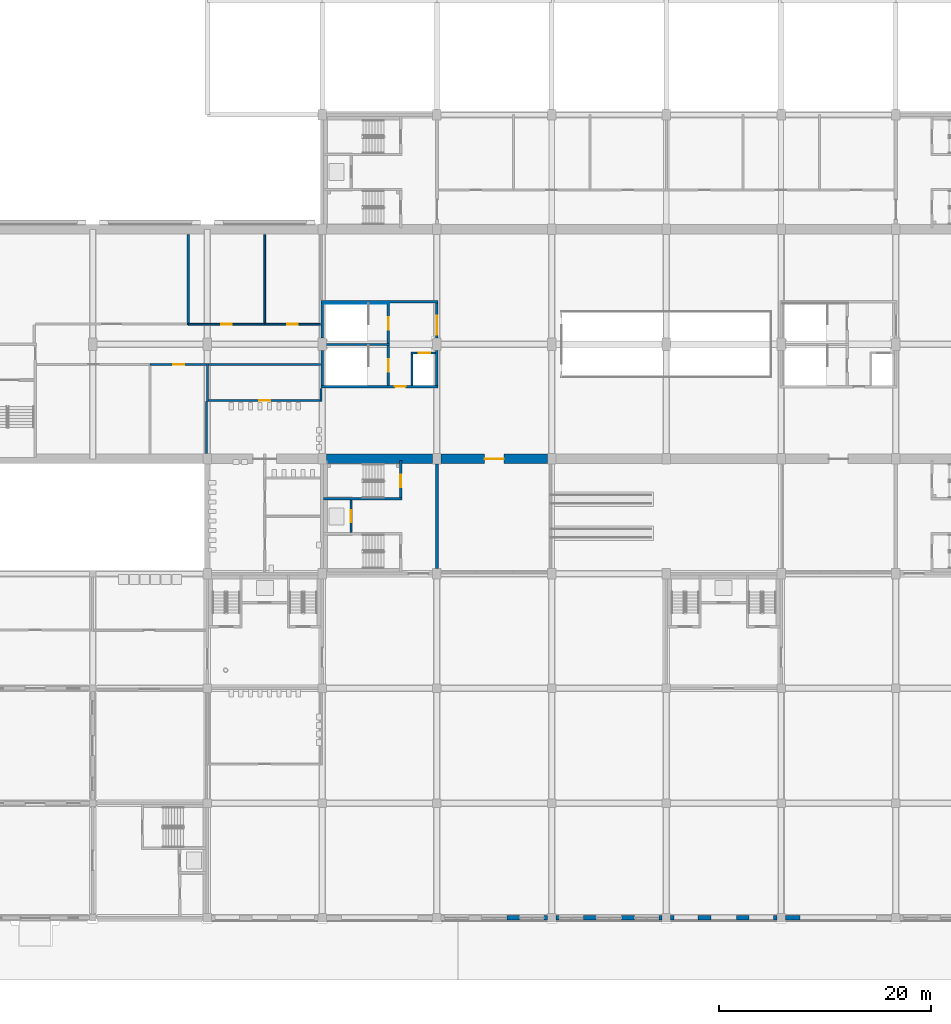
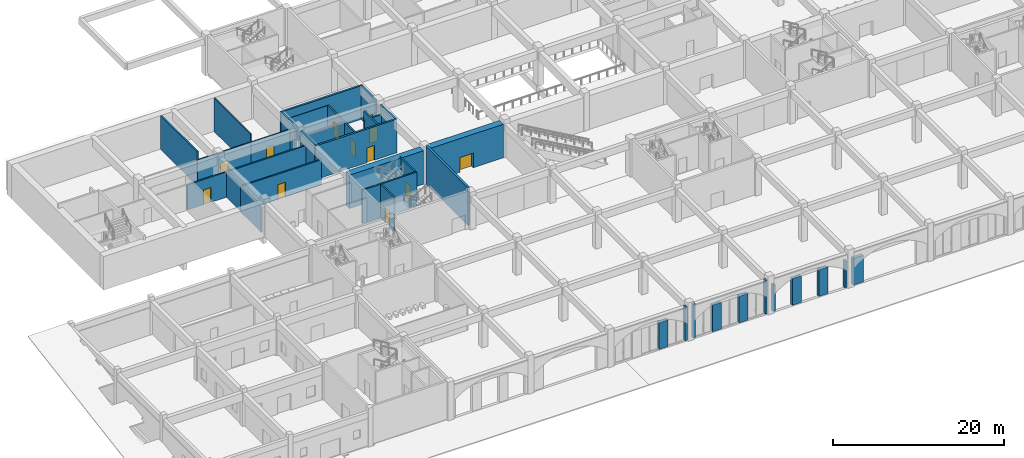
# One storey, part 28 of 101: 39 walls, 12 doors, 12 openings.
"""IFC4 building model written with IfcOpenShell, lengths in metres."""

from ifc_helpers import new_model, si_unit, direction, frame, frame_2d, origin, place, context, subcontext, project, spatial, rectangle, extrude, material, layer, layer_set, type_object, element, fill, save


model = new_model("IFC4")

# Units and contexts
model_context = context("Model", 3, precision=1e-05, world=origin(), true_north=direction((0.0, 1.0)))
body_context = subcontext(model_context, "Body", "Model", "MODEL_VIEW")
ifc_project = project(units=[si_unit("LENGTHUNIT", "METRE"), si_unit("AREAUNIT", "SQUARE_METRE"), si_unit("VOLUMEUNIT", "CUBIC_METRE"), si_unit("PLANEANGLEUNIT", "RADIAN"), si_unit("MASSUNIT", "GRAM", prefix="KILO")], contexts=[model_context])

# Site, building, storey
site_placement = place(None, origin())
site = spatial("IfcSite", under=ifc_project, at=site_placement, CompositionType="ELEMENT")
building_placement = place(site_placement, origin())
building = spatial("IfcBuilding", under=site, at=building_placement, Name="Magnolia Steps Interchange", CompositionType="ELEMENT")
storey_placement = place(building_placement, frame((0.0, 0.0, -5.39990234375)))
storey = spatial("IfcBuildingStorey", under=building, at=storey_placement, Name="B1", CompositionType="ELEMENT", Elevation=-5.39990234375)

# Walls
ifc_material_1 = material(Name="Concrete C40", Category="concrete")
ifc_layer_1 = layer(ifc_material_1, 0.449951171875)
ifc_layer_set_1 = layer_set([ifc_layer_1], Name="Concrete C40 arcade wall 450")
wall_type_1 = type_object("IfcWallType", Name="Concrete C40 arcade wall 450", PredefinedType="SOLIDWALL", material=ifc_layer_set_1)
wall_1_placement = place(storey_placement, frame((70.60009765625, 10.0, 0.0), z_axis=(0.0, 0.0, 1.0), x_axis=(1.0, 0.0, 0.0)))
element("IfcWall", 1, at=wall_1_placement, inside=storey, type_object=wall_type_1, Name="Street arcade pier 13", PredefinedType="SOLIDWALL", context=body_context, shape_type="SweptSolid", body=[
    extrude(rectangle(XDim=1.199951171875, YDim=0.449951171875, at=frame_2d((0.60009765625, 0.0))), origin(), (0.0, 0.0, 1.0), 3.7998046875),
])
wall_2_placement = place(storey_placement, frame((74.10009765625, 10.0, 0.0), z_axis=(0.0, 0.0, 1.0), x_axis=(1.0, 0.0, 0.0)))
element("IfcWall", 2, at=wall_2_placement, inside=storey, type_object=wall_type_1, Name="Street arcade pier 15", PredefinedType="SOLIDWALL", context=body_context, shape_type="SweptSolid", body=[
    extrude(rectangle(XDim=0.2998046875, YDim=0.449951171875, at=frame_2d((0.14990234375, 0.0))), origin(), (0.0, 0.0, 1.0), 4.7998046875),
])
wall_3_placement = place(storey_placement, frame((75.199951171875, 10.0, 0.0), z_axis=(0.0, 0.0, 1.0), x_axis=(1.0, 0.0, 0.0)))
element("IfcWall", 3, at=wall_3_placement, inside=storey, type_object=wall_type_1, Name="Street arcade pier 15", PredefinedType="SOLIDWALL", context=body_context, shape_type="SweptSolid", body=[
    extrude(rectangle(XDim=0.300048828125, YDim=0.449951171875, at=frame_2d((0.14990234375, 0.0))), origin(), (0.0, 0.0, 1.0), 4.7998046875),
])
wall_4_placement = place(storey_placement, frame((77.800048828125, 10.0, 0.0), z_axis=(0.0, 0.0, 1.0), x_axis=(1.0, 0.0, 0.0)))
element("IfcWall", 4, at=wall_4_placement, inside=storey, type_object=wall_type_1, Name="Street arcade pier 17", PredefinedType="SOLIDWALL", context=body_context, shape_type="SweptSolid", body=[
    extrude(rectangle(XDim=1.199951171875, YDim=0.449951171875, at=frame_2d((0.60009765625, 0.0))), origin(), (0.0, 0.0, 1.0), 3.7998046875),
])
wall_5_placement = place(storey_placement, frame((81.39990234375, 10.0, 0.0), z_axis=(0.0, 0.0, 1.0), x_axis=(1.0, 0.0, 0.0)))
element("IfcWall", 5, at=wall_5_placement, inside=storey, type_object=wall_type_1, Name="Street arcade pier 19", PredefinedType="SOLIDWALL", context=body_context, shape_type="SweptSolid", body=[
    extrude(rectangle(XDim=1.2001953125, YDim=0.449951171875, at=frame_2d((0.60009765625, 0.0))), origin(), (0.0, 0.0, 1.0), 3.7998046875),
])
wall_6_placement = place(storey_placement, frame((84.89990234375, 10.0, 0.0), z_axis=(0.0, 0.0, 1.0), x_axis=(1.0, 0.0, 0.0)))
element("IfcWall", 6, at=wall_6_placement, inside=storey, type_object=wall_type_1, Name="Street arcade pier 21", PredefinedType="SOLIDWALL", context=body_context, shape_type="SweptSolid", body=[
    extrude(rectangle(XDim=0.300048828125, YDim=0.449951171875, at=frame_2d((0.14990234375, 0.0))), origin(), (0.0, 0.0, 1.0), 4.7998046875),
])
wall_7_placement = place(storey_placement, frame((86.0, 10.0, 0.0), z_axis=(0.0, 0.0, 1.0), x_axis=(1.0, 0.0, 0.0)))
element("IfcWall", 7, at=wall_7_placement, inside=storey, type_object=wall_type_1, Name="Street arcade pier 21", PredefinedType="SOLIDWALL", context=body_context, shape_type="SweptSolid", body=[
    extrude(rectangle(XDim=0.300048828125, YDim=0.449951171875, at=frame_2d((0.14990234375, 0.0))), origin(), (0.0, 0.0, 1.0), 3.7998046875),
])
for number, where, z_axis, x_axis, name in (
    (8, (88.60009765625, 10.0, 0.0), (0.0, 0.0, 1.0), (1.0, 0.0, 0.0), "Street arcade pier 23"),
    (9, (92.199951171875, 10.0, 0.0), (0.0, 0.0, 1.0), (1.0, 0.0, 0.0), "Street arcade pier 25"),
):
    element("IfcWall", number, at=place(storey_placement, frame(where, z_axis=z_axis, x_axis=x_axis)), inside=storey, type_object=wall_type_1, Name=name, PredefinedType="SOLIDWALL", context=body_context, shape_type="SweptSolid", body=[
        extrude(rectangle(XDim=1.199951171875, YDim=0.449951171875, at=frame_2d((0.60009765625, 0.0))), origin(), (0.0, 0.0, 1.0), 3.7998046875),
    ])
wall_8_placement = place(storey_placement, frame((95.699951171875, 10.0, 0.0), z_axis=(0.0, 0.0, 1.0), x_axis=(1.0, 0.0, 0.0)))
element("IfcWall", 10, at=wall_8_placement, inside=storey, type_object=wall_type_1, Name="Street arcade pier 27", PredefinedType="SOLIDWALL", context=body_context, shape_type="SweptSolid", body=[
    extrude(rectangle(XDim=0.300048828125, YDim=0.449951171875, at=frame_2d((0.14990234375, 0.0))), origin(), (0.0, 0.0, 1.0), 3.7998046875),
])
wall_9_placement = place(storey_placement, frame((96.800048828125, 10.0, 0.0), z_axis=(0.0, 0.0, 1.0), x_axis=(1.0, 0.0, 0.0)))
element("IfcWall", 11, at=wall_9_placement, inside=storey, type_object=wall_type_1, Name="Street arcade pier 27", PredefinedType="SOLIDWALL", context=body_context, shape_type="SweptSolid", body=[
    extrude(rectangle(XDim=1.39990234375, YDim=0.449951171875, at=frame_2d((0.699951171875, 0.0))), origin(), (0.0, 0.0, 1.0), 3.7998046875),
])

# Wall, opening, door
ifc_material_2 = material(Name="Concrete C35", Category="concrete")
ifc_layer_2 = layer(ifc_material_2, 0.199951171875)
ifc_layer_set_2 = layer_set([ifc_layer_2], Name="Core enclosure wall 200")
wall_type_2 = type_object("IfcWallType", Name="Core enclosure wall 200", PredefinedType="SOLIDWALL", material=ifc_layer_set_2)
wall_10_placement = place(storey_placement, frame((55.89990234375, 46.25, 0.0), z_axis=(0.0, 0.0, 1.0), x_axis=(0.0, 1.0, 0.0)))
wall_10 = element("IfcWall", 12, at=wall_10_placement, inside=storey, type_object=wall_type_2, Name="B1 HC3 enclosure wall", PredefinedType="SOLIDWALL", context=body_context, shape_type="SweptSolid", body=[
    extrude(rectangle(XDim=3.10009765625, YDim=0.199951171875, at=frame_2d((1.550048828125, 0.0))), origin(), (0.0, 0.0, 1.0), 4.7998046875),
])
opening_1_placement = place(wall_10_placement, frame((1.0, 0.0, 0.0)))
opening_1 = element("IfcOpeningElement", 13, at=opening_1_placement, cuts=wall_10, Name="Opening LD", PredefinedType="OPENING", context=body_context, shape_type="SweptSolid", body=[
    extrude(rectangle(XDim=1.10009765625, YDim=2.10009765625, at=frame_2d((0.550048828125, 1.050048828125))), frame((0.0, 0.10986328125, 0.0), z_axis=(0.0, -1.0, 0.0), x_axis=(1.0, 0.0, 0.0)), (0.0, 0.0, 1.0), 0.219970703125),
])
ifc_material_3 = material(Name="Stainless steel grade 304", Category="steel")
door_type_1 = type_object("IfcDoorType", Name="Lift landing door 1100x2100", OperationType="DOUBLE_DOOR_SLIDING", PredefinedType="DOOR", material=ifc_material_3)
door_1_placement = place(opening_1_placement, frame((1.10009765625, 0.0, 0.0), z_axis=(0.0, 0.0, 1.0), x_axis=(-1.0, 0.0, 0.0)))
door_1 = element("IfcDoor", 14, at=door_1_placement, inside=storey, type_object=door_type_1, Name="Lift landing door LF3 B1", OperationType="DOUBLE_DOOR_SLIDING", OverallHeight=2.10009765625, OverallWidth=1.10009765625, PredefinedType="DOOR", context=body_context, shape_type="SweptSolid", body=[
    extrude(rectangle(XDim=1.10009765625, YDim=2.10009765625, at=frame_2d((0.550048828125, 1.050048828125))), frame((0.0, 0.02490234375, 0.0), z_axis=(0.0, -1.0, 0.0), x_axis=(1.0, 0.0, 0.0)), (0.0, 0.0, 1.0), 0.050048828125),
])
fill(opening_1, door_1)

# Wall
wall_11_placement = place(storey_placement, frame((60.699951171875, 49.449951171875, 0.0), z_axis=(0.0, 0.0, 1.0), x_axis=(-1.0, 0.0, 0.0)))
element("IfcWall", 15, at=wall_11_placement, inside=storey, type_object=wall_type_2, Name="B1 HC3 enclosure wall", PredefinedType="SOLIDWALL", context=body_context, shape_type="SweptSolid", body=[
    extrude(rectangle(XDim=7.349853515625, YDim=0.199951171875, at=frame_2d((3.6748046875, 0.0))), origin(), (0.0, 0.0, 1.0), 4.7998046875),
])

# Wall, opening, door
wall_12_placement = place(storey_placement, frame((60.60009765625, 49.550048828125, 0.0), z_axis=(0.0, 0.0, 1.0), x_axis=(0.0, 1.0, 0.0)))
wall_12 = element("IfcWall", 16, at=wall_12_placement, inside=storey, type_object=wall_type_2, Name="B1 HC3 enclosure wall", PredefinedType="SOLIDWALL", context=body_context, shape_type="SweptSolid", body=[
    extrude(rectangle(XDim=3.5, YDim=0.199951171875, at=frame_2d((1.75, 0.0))), origin(), (0.0, 0.0, 1.0), 4.7998046875),
])
opening_2_placement = place(wall_12_placement, frame((0.97509765625, 0.0, 0.0)))
opening_2 = element("IfcOpeningElement", 17, at=opening_2_placement, cuts=wall_12, Name="Opening D-HC3-B1-2", PredefinedType="OPENING", context=body_context, shape_type="SweptSolid", body=[
    extrude(rectangle(XDim=1.199951171875, YDim=2.10009765625, at=frame_2d((0.60009765625, 1.050048828125))), frame((0.0, 0.10986328125, 0.0), z_axis=(0.0, -1.0, 0.0), x_axis=(1.0, 0.0, 0.0)), (0.0, 0.0, 1.0), 0.219970703125),
])
ifc_material_4 = material(Name="Painted steel", Category="steel")
door_type_2 = type_object("IfcDoorType", Name="Stair fire door 1200x2100", OperationType="NOTDEFINED", PredefinedType="DOOR", material=ifc_material_4)
door_2_placement = place(opening_2_placement, frame((1.199951171875, 0.0, 0.0), z_axis=(0.0, 0.0, 1.0), x_axis=(-1.0, 0.0, 0.0)))
door_2 = element("IfcDoor", 18, at=door_2_placement, inside=storey, type_object=door_type_2, Name="Stair door ST6 B1", OperationType="SINGLE_SWING_RIGHT", OverallHeight=2.10009765625, OverallWidth=1.199951171875, PredefinedType="DOOR", context=body_context, shape_type="SweptSolid", body=[
    extrude(rectangle(XDim=1.199951171875, YDim=2.10009765625, at=frame_2d((0.60009765625, 1.050048828125))), frame((0.0, 0.02490234375, 0.0), z_axis=(0.0, -1.0, 0.0), x_axis=(1.0, 0.0, 0.0)), (0.0, 0.0, 1.0), 0.050048828125),
])
fill(opening_2, door_2)

wall_13_placement = place(storey_placement, frame((59.425048828125, 60.125, 0.0), z_axis=(0.0, 0.0, 1.0), x_axis=(0.0, 1.0, 0.0)))
wall_13 = element("IfcWall", 19, at=wall_13_placement, inside=storey, type_object=wall_type_2, Name="B1 PC1 enclosure wall", PredefinedType="SOLIDWALL", context=body_context, shape_type="SweptSolid", body=[
    extrude(rectangle(XDim=3.75, YDim=0.199951171875, at=frame_2d((1.875, 0.0))), origin(), (0.0, 0.0, 1.0), 3.599853515625),
])
opening_3_placement = place(wall_13_placement, frame((1.27490234375, 0.0, 0.0)))
opening_3 = element("IfcOpeningElement", 20, at=opening_3_placement, cuts=wall_13, Name="Opening D-PC1-B1-1", PredefinedType="OPENING", context=body_context, shape_type="SweptSolid", body=[
    extrude(rectangle(XDim=1.199951171875, YDim=2.10009765625, at=frame_2d((0.60009765625, 1.050048828125))), frame((0.0, 0.10986328125, 0.0), z_axis=(0.0, -1.0, 0.0), x_axis=(1.0, 0.0, 0.0)), (0.0, 0.0, 1.0), 0.219970703125),
])
door_3_placement = place(opening_3_placement, frame((1.199951171875, 0.0, 0.0), z_axis=(0.0, 0.0, 1.0), x_axis=(-1.0, 0.0, 0.0)))
door_3 = element("IfcDoor", 21, at=door_3_placement, inside=storey, type_object=door_type_2, Name="Stair door ST9 B1", OperationType="SINGLE_SWING_RIGHT", OverallHeight=2.10009765625, OverallWidth=1.199951171875, PredefinedType="DOOR", context=body_context, shape_type="SweptSolid", body=[
    extrude(rectangle(XDim=1.199951171875, YDim=2.10009765625, at=frame_2d((0.60009765625, 1.050048828125))), frame((0.0, 0.02490234375, 0.0), z_axis=(0.0, -1.0, 0.0), x_axis=(1.0, 0.0, 0.0)), (0.0, 0.0, 1.0), 0.050048828125),
])
fill(opening_3, door_3)

# Wall
wall_14_placement = place(storey_placement, frame((59.52490234375, 63.97509765625, 0.0), z_axis=(0.0, 0.0, 1.0), x_axis=(-1.0, 0.0, 0.0)))
element("IfcWall", 22, at=wall_14_placement, inside=storey, type_object=wall_type_2, Name="B1 PC1 enclosure wall", PredefinedType="SOLIDWALL", context=body_context, shape_type="SweptSolid", body=[
    extrude(rectangle(XDim=6.199951171875, YDim=0.199951171875, at=frame_2d((3.10009765625, 0.0))), origin(), (0.0, 0.0, 1.0), 3.599853515625),
])

# Wall, opening, door
wall_15_placement = place(storey_placement, frame((59.425048828125, 64.074951171875, 0.0), z_axis=(0.0, 0.0, 1.0), x_axis=(0.0, 1.0, 0.0)))
wall_15 = element("IfcWall", 23, at=wall_15_placement, inside=storey, type_object=wall_type_2, Name="B1 PC1 enclosure wall", PredefinedType="SOLIDWALL", context=body_context, shape_type="SweptSolid", body=[
    extrude(rectangle(XDim=3.800048828125, YDim=0.199951171875, at=frame_2d((1.89990234375, 0.0))), origin(), (0.0, 0.0, 1.0), 3.599853515625),
])
opening_4_placement = place(wall_15_placement, frame((1.27490234375, 0.0, 0.0)))
opening_4 = element("IfcOpeningElement", 24, at=opening_4_placement, cuts=wall_15, Name="Opening D-PC1-B1-2", PredefinedType="OPENING", context=body_context, shape_type="SweptSolid", body=[
    extrude(rectangle(XDim=1.199951171875, YDim=2.10009765625, at=frame_2d((0.60009765625, 1.050048828125))), frame((0.0, 0.10986328125, 0.0), z_axis=(0.0, -1.0, 0.0), x_axis=(1.0, 0.0, 0.0)), (0.0, 0.0, 1.0), 0.219970703125),
])
door_4_placement = place(opening_4_placement, frame((1.199951171875, 0.0, 0.0), z_axis=(0.0, 0.0, 1.0), x_axis=(-1.0, 0.0, 0.0)))
door_4 = element("IfcDoor", 25, at=door_4_placement, inside=storey, type_object=door_type_2, Name="Stair door ST10 B1", OperationType="SINGLE_SWING_RIGHT", OverallHeight=2.10009765625, OverallWidth=1.199951171875, PredefinedType="DOOR", context=body_context, shape_type="SweptSolid", body=[
    extrude(rectangle(XDim=1.199951171875, YDim=2.10009765625, at=frame_2d((0.60009765625, 1.050048828125))), frame((0.0, 0.02490234375, 0.0), z_axis=(0.0, -1.0, 0.0), x_axis=(1.0, 0.0, 0.0)), (0.0, 0.0, 1.0), 0.050048828125),
])
fill(opening_4, door_4)

# Wall
wall_16_placement = place(storey_placement, frame((61.675048828125, 60.125, 0.0), z_axis=(0.0, 0.0, 1.0), x_axis=(0.0, 1.0, 0.0)))
element("IfcWall", 26, at=wall_16_placement, inside=storey, type_object=wall_type_2, Name="B1 PC1 enclosure wall", PredefinedType="SOLIDWALL", context=body_context, shape_type="SweptSolid", body=[
    extrude(rectangle(XDim=3.14990234375, YDim=0.199951171875, at=frame_2d((1.574951171875, 0.0))), origin(), (0.0, 0.0, 1.0), 4.7998046875),
])

# Wall, opening, door
wall_17_placement = place(storey_placement, frame((63.875, 63.175048828125, 0.0), z_axis=(0.0, 0.0, 1.0), x_axis=(-1.0, 0.0, 0.0)))
wall_17 = element("IfcWall", 27, at=wall_17_placement, inside=storey, type_object=wall_type_2, Name="B1 PC1 enclosure wall", PredefinedType="SOLIDWALL", context=body_context, shape_type="SweptSolid", body=[
    extrude(rectangle(XDim=2.300048828125, YDim=0.199951171875, at=frame_2d((1.14990234375, 0.0))), origin(), (0.0, 0.0, 1.0), 3.599853515625),
])
opening_5_placement = place(wall_17_placement, frame((0.5, 0.0, 0.0)))
opening_5 = element("IfcOpeningElement", 28, at=opening_5_placement, cuts=wall_17, Name="Opening LD", PredefinedType="OPENING", context=body_context, shape_type="SweptSolid", body=[
    extrude(rectangle(XDim=1.10009765625, YDim=2.10009765625, at=frame_2d((0.550048828125, 1.050048828125))), frame((0.0, 0.10986328125, 0.0), z_axis=(0.0, -1.0, 0.0), x_axis=(1.0, 0.0, 0.0)), (0.0, 0.0, 1.0), 0.219970703125),
])
door_5_placement = place(opening_5_placement, frame((1.10009765625, 0.0, 0.0), z_axis=(0.0, 0.0, 1.0), x_axis=(-1.0, 0.0, 0.0)))
door_5 = element("IfcDoor", 29, at=door_5_placement, inside=storey, type_object=door_type_1, Name="Lift landing door LF5 B1", OperationType="DOUBLE_DOOR_SLIDING", OverallHeight=2.10009765625, OverallWidth=1.10009765625, PredefinedType="DOOR", context=body_context, shape_type="SweptSolid", body=[
    extrude(rectangle(XDim=1.10009765625, YDim=2.10009765625, at=frame_2d((0.550048828125, 1.050048828125))), frame((0.0, 0.02490234375, 0.0), z_axis=(0.0, -1.0, 0.0), x_axis=(1.0, 0.0, 0.0)), (0.0, 0.0, 1.0), 0.050048828125),
])
fill(opening_5, door_5)

# Wall
wall_18_placement = place(storey_placement, frame((59.52490234375, 67.85009765625, 0.0), z_axis=(0.0, 0.0, 1.0), x_axis=(-1.0, 0.0, 0.0)))
element("IfcWall", 30, at=wall_18_placement, inside=storey, type_object=wall_type_2, Name="B1 PC1 enclosure wall", PredefinedType="SOLIDWALL", context=body_context, shape_type="SweptSolid", body=[
    extrude(rectangle(XDim=6.199951171875, YDim=0.050048828125, at=frame_2d((3.10009765625, 0.0))), origin(), (0.0, 0.0, 1.0), 3.599853515625),
])

# Wall, opening, door
ifc_material_5 = material(Name="Concrete C40", Category="concrete")
ifc_layer_3 = layer(ifc_material_5, 0.25)
ifc_layer_set_3 = layer_set([ifc_layer_3], Name="Core wall 250")
wall_type_3 = type_object("IfcWallType", Name="Core wall 250", PredefinedType="SOLIDWALL", material=ifc_layer_set_3)
wall_19_placement = place(storey_placement, frame((53.074951171875, 60.0, 0.0), z_axis=(0.0, 0.0, 1.0), x_axis=(1.0, 0.0, 0.0)))
wall_19 = element("IfcWall", 31, at=wall_19_placement, inside=storey, type_object=wall_type_3, Name="Core wall PC1", PredefinedType="SOLIDWALL", context=body_context, shape_type="SweptSolid", body=[
    extrude(rectangle(XDim=11.050048828125, YDim=0.25, at=frame_2d((5.52490234375, 0.0))), origin(), (0.0, 0.0, 1.0), 4.7998046875),
])
opening_6_placement = place(wall_19_placement, frame((6.97509765625, 0.0, 0.0)))
opening_6 = element("IfcOpeningElement", 32, at=opening_6_placement, cuts=wall_19, Name="Opening D-PC1-B1-4", PredefinedType="OPENING", context=body_context, shape_type="SweptSolid", body=[
    extrude(rectangle(XDim=1.0, YDim=2.10009765625, at=frame_2d((0.5, 1.050048828125))), frame((0.0, 0.135009765625, 0.0), z_axis=(0.0, -1.0, 0.0), x_axis=(1.0, 0.0, 0.0)), (0.0, 0.0, 1.0), 0.27001953125),
])
ifc_material_6 = material(Name="Timber and glass", Category="wood")
door_type_3 = type_object("IfcDoorType", Name="Core entrance door 1000x2100", OperationType="NOTDEFINED", PredefinedType="DOOR", material=ifc_material_6)
door_6_placement = place(opening_6_placement, frame((1.0, 0.0, 0.0), z_axis=(0.0, 0.0, 1.0), x_axis=(-1.0, 0.0, 0.0)))
door_6 = element("IfcDoor", 33, at=door_6_placement, inside=storey, type_object=door_type_3, Name="Core entrance door PC1 B1", OperationType="SINGLE_SWING_LEFT", OverallHeight=2.10009765625, OverallWidth=1.0, PredefinedType="DOOR", context=body_context, shape_type="SweptSolid", body=[
    extrude(rectangle(XDim=1.0, YDim=2.10009765625, at=frame_2d((0.5, 1.050048828125))), frame((0.0, 0.02490234375, 0.0), z_axis=(0.0, -1.0, 0.0), x_axis=(1.0, 0.0, 0.0)), (0.0, 0.0, 1.0), 0.050048828125),
])
fill(opening_6, door_6)

# Wall
wall_20_placement = place(storey_placement, frame((64.0, 60.125, 0.0), z_axis=(0.0, 0.0, 1.0), x_axis=(0.0, 1.0, 0.0)))
element("IfcWall", 34, at=wall_20_placement, inside=storey, type_object=wall_type_3, Name="Core wall PC1", PredefinedType="SOLIDWALL", context=body_context, shape_type="SweptSolid", body=[
    extrude(rectangle(XDim=3.27490234375, YDim=0.25, at=frame_2d((1.637451171875, 0.0))), origin(), (0.0, 0.0, 1.0), 4.7998046875),
])

# Wall, opening, door
wall_21_placement = place(storey_placement, frame((64.0, 64.60009765625, 0.0), z_axis=(0.0, 0.0, 1.0), x_axis=(0.0, 1.0, 0.0)))
wall_21 = element("IfcWall", 35, at=wall_21_placement, inside=storey, type_object=wall_type_3, Name="Core wall PC1", PredefinedType="SOLIDWALL", context=body_context, shape_type="SweptSolid", body=[
    extrude(rectangle(XDim=3.27490234375, YDim=0.25, at=frame_2d((1.637451171875, 0.0))), origin(), (0.0, 0.0, 1.0), 4.7998046875),
])
opening_7_placement = place(wall_21_placement, frame((0.27490234375, 0.0, 0.0)))
opening_7 = element("IfcOpeningElement", 36, at=opening_7_placement, cuts=wall_21, Name="Opening D-PC1-B1-3", PredefinedType="OPENING", context=body_context, shape_type="SweptSolid", body=[
    extrude(rectangle(XDim=1.800048828125, YDim=2.10009765625, at=frame_2d((0.89990234375, 1.050048828125))), frame((0.0, 0.135009765625, 0.0), z_axis=(0.0, -1.0, 0.0), x_axis=(1.0, 0.0, 0.0)), (0.0, 0.0, 1.0), 0.27001953125),
])
ifc_material_7 = material(Name="Timber and glass", Category="wood")
door_type_4 = type_object("IfcDoorType", Name="Core entrance door pair 1800x2100", OperationType="DOUBLE_DOOR_DOUBLE_SWING", PredefinedType="DOOR", material=ifc_material_7)
door_7_placement = place(opening_7_placement, frame((1.800048828125, 0.0, 0.0), z_axis=(0.0, 0.0, 1.0), x_axis=(-1.0, 0.0, 0.0)))
door_7 = element("IfcDoor", 37, at=door_7_placement, inside=storey, type_object=door_type_4, Name="Core entrance door PC1 B1", OperationType="DOUBLE_DOOR_DOUBLE_SWING", OverallHeight=2.10009765625, OverallWidth=1.800048828125, PredefinedType="DOOR", context=body_context, shape_type="SweptSolid", body=[
    extrude(rectangle(XDim=1.800048828125, YDim=2.10009765625, at=frame_2d((0.89990234375, 1.050048828125))), frame((0.0, 0.02490234375, 0.0), z_axis=(0.0, -1.0, 0.0), x_axis=(1.0, 0.0, 0.0)), (0.0, 0.0, 1.0), 0.050048828125),
])
fill(opening_7, door_7)

# Walls
wall_22_placement = place(storey_placement, frame((64.125, 68.0, 0.0), z_axis=(0.0, 0.0, 1.0), x_axis=(-1.0, 0.0, 0.0)))
element("IfcWall", 38, at=wall_22_placement, inside=storey, type_object=wall_type_3, Name="Core wall PC1", PredefinedType="SOLIDWALL", context=body_context, shape_type="SweptSolid", body=[
    extrude(rectangle(XDim=11.050048828125, YDim=0.25, at=frame_2d((5.52490234375, 0.0))), origin(), (0.0, 0.0, 1.0), 4.7998046875),
])
for number, where, z_axis, x_axis, name in (
    (39, (53.199951171875, 67.875, 0.0), (0.0, 0.0, 1.0), (0.0, -1.0, 0.0), "Core wall PC1"),
    (40, (53.199951171875, 63.39990234375, 0.0), (0.0, 0.0, 1.0), (0.0, -1.0, 0.0), "Core wall PC1"),
):
    element("IfcWall", number, at=place(storey_placement, frame(where, z_axis=z_axis, x_axis=x_axis)), inside=storey, type_object=wall_type_3, Name=name, PredefinedType="SOLIDWALL", context=body_context, shape_type="SweptSolid", body=[
        extrude(rectangle(XDim=3.27490234375, YDim=0.25, at=frame_2d((1.637451171875, 0.0))), origin(), (0.0, 0.0, 1.0), 4.7998046875),
    ])
ifc_material_8 = material(Name="Concrete C40", Category="concrete")
ifc_layer_4 = layer(ifc_material_8, 0.300048828125)
ifc_layer_set_4 = layer_set([ifc_layer_4], Name="Core wall 300")
wall_type_4 = type_object("IfcWallType", Name="Core wall 300", PredefinedType="SOLIDWALL", material=ifc_layer_set_4)
wall_23_placement = place(storey_placement, frame((64.0, 42.89990234375, 0.0), z_axis=(0.0, 0.0, 1.0), x_axis=(0.0, 1.0, 0.0)))
element("IfcWall", 41, at=wall_23_placement, inside=storey, type_object=wall_type_4, Name="Core wall HC3", PredefinedType="SOLIDWALL", context=body_context, shape_type="SweptSolid", body=[
    extrude(rectangle(XDim=9.800048828125, YDim=0.300048828125, at=frame_2d((4.89990234375, 0.0))), origin(), (0.0, 0.0, 1.0), 5.39990234375),
])
ifc_material_9 = material(Name="Concrete C40", Category="concrete")
ifc_layer_5 = layer(ifc_material_9, 0.89990234375)
ifc_layer_set_5 = layer_set([ifc_layer_5], Name="Diaphragm wall 900")
wall_type_5 = type_object("IfcWallType", Name="Diaphragm wall 900", PredefinedType="SOLIDWALL", material=ifc_layer_set_5)
wall_24_placement = place(storey_placement, frame((53.60009765625, 53.199951171875, 0.0), z_axis=(0.0, 0.0, 1.0), x_axis=(1.0, 0.0, 0.0)))
element("IfcWall", 42, at=wall_24_placement, inside=storey, type_object=wall_type_5, Name="Metro box wall S", PredefinedType="SOLIDWALL", context=body_context, shape_type="SweptSolid", body=[
    extrude(rectangle(XDim=10.0, YDim=0.89990234375, at=frame_2d((5.0, 0.0))), origin(), (0.0, 0.0, 1.0), 4.7998046875),
])

# Wall, opening, door
wall_25_placement = place(storey_placement, frame((64.39990234375, 53.199951171875, 0.0), z_axis=(0.0, 0.0, 1.0), x_axis=(1.0, 0.0, 0.0)))
wall_25 = element("IfcWall", 43, at=wall_25_placement, inside=storey, type_object=wall_type_5, Name="Metro box wall S", PredefinedType="SOLIDWALL", context=body_context, shape_type="SweptSolid", body=[
    extrude(rectangle(XDim=10.0, YDim=0.89990234375, at=frame_2d((5.0, 0.0))), origin(), (0.0, 0.0, 1.0), 4.7998046875),
])
opening_8_placement = place(wall_25_placement, frame((4.10009765625, 0.0, 0.0)))
opening_8 = element("IfcOpeningElement", 44, at=opening_8_placement, cuts=wall_25, Name="Opening D-B1-16", PredefinedType="OPENING", context=body_context, shape_type="SweptSolid", body=[
    extrude(rectangle(XDim=1.800048828125, YDim=2.10009765625, at=frame_2d((0.89990234375, 1.050048828125))), frame((0.0, 0.4599609375, 0.0), z_axis=(0.0, -1.0, 0.0), x_axis=(1.0, 0.0, 0.0)), (0.0, 0.0, 1.0), 0.919921875),
])
ifc_material_10 = material(Name="Timber", Category="wood")
door_type_5 = type_object("IfcDoorType", Name="Room door pair 1800x2100", OperationType="DOUBLE_DOOR_DOUBLE_SWING", PredefinedType="DOOR", material=ifc_material_10)
door_8_placement = place(opening_8_placement, frame((1.800048828125, 0.0, 0.0), z_axis=(0.0, 0.0, 1.0), x_axis=(-1.0, 0.0, 0.0)))
door_8 = element("IfcDoor", 45, at=door_8_placement, inside=storey, type_object=door_type_5, Name="Customer Information Counter door", OperationType="DOUBLE_DOOR_DOUBLE_SWING", OverallHeight=2.10009765625, OverallWidth=1.800048828125, PredefinedType="DOOR", context=body_context, shape_type="SweptSolid", body=[
    extrude(rectangle(XDim=1.800048828125, YDim=2.10009765625, at=frame_2d((0.89990234375, 1.050048828125))), frame((0.0, 0.02490234375, 0.0), z_axis=(0.0, -1.0, 0.0), x_axis=(1.0, 0.0, 0.0)), (0.0, 0.0, 1.0), 0.050048828125),
])
fill(opening_8, door_8)

ifc_material_11 = material(Name="Fair-faced blockwork", Category="masonry")
ifc_layer_6 = layer(ifc_material_11, 0.199951171875)
ifc_layer_set_6 = layer_set([ifc_layer_6], Name="Fire partition wall 200")
wall_type_6 = type_object("IfcWallType", Name="Fire partition wall 200", PredefinedType="PARTITIONING", material=ifc_layer_set_6)
wall_26_placement = place(storey_placement, frame((37.0, 62.10009765625, 0.0), z_axis=(0.0, 0.0, 1.0), x_axis=(1.0, 0.0, 0.0)))
wall_26 = element("IfcWall", 46, at=wall_26_placement, inside=storey, type_object=wall_type_6, Name="B1 partition 1", PredefinedType="PARTITIONING", context=body_context, shape_type="SweptSolid", body=[
    extrude(rectangle(XDim=5.39990234375, YDim=0.199951171875, at=frame_2d((2.699951171875, 0.0))), origin(), (0.0, 0.0, 1.0), 3.599853515625),
])
opening_9_placement = place(wall_26_placement, frame((2.199951171875, 0.0, 0.0)))
opening_9 = element("IfcOpeningElement", 47, at=opening_9_placement, cuts=wall_26, Name="Opening D-B1-2", PredefinedType="OPENING", context=body_context, shape_type="SweptSolid", body=[
    extrude(rectangle(XDim=1.0, YDim=2.10009765625, at=frame_2d((0.5, 1.050048828125))), frame((0.0, 0.10986328125, 0.0), z_axis=(0.0, -1.0, 0.0), x_axis=(1.0, 0.0, 0.0)), (0.0, 0.0, 1.0), 0.219970703125),
])
ifc_material_12 = material(Name="Painted steel", Category="steel")
door_type_6 = type_object("IfcDoorType", Name="Plant room door 1000x2100", OperationType="NOTDEFINED", PredefinedType="DOOR", material=ifc_material_12)
door_9_placement = place(opening_9_placement, frame((1.0, 0.0, 0.0), z_axis=(0.0, 0.0, 1.0), x_axis=(-1.0, 0.0, 0.0)))
door_9 = element("IfcDoor", 48, at=door_9_placement, inside=storey, type_object=door_type_6, Name="Communications Room door", OperationType="SINGLE_SWING_LEFT", OverallHeight=2.10009765625, OverallWidth=1.0, PredefinedType="DOOR", context=body_context, shape_type="SweptSolid", body=[
    extrude(rectangle(XDim=1.0, YDim=2.10009765625, at=frame_2d((0.5, 1.050048828125))), frame((0.0, 0.02490234375, 0.0), z_axis=(0.0, -1.0, 0.0), x_axis=(1.0, 0.0, 0.0)), (0.0, 0.0, 1.0), 0.050048828125),
])
fill(opening_9, door_9)

# Walls
wall_27_placement = place(storey_placement, frame((42.39990234375, 62.10009765625, 0.0), z_axis=(0.0, 0.0, 1.0), x_axis=(1.0, 0.0, 0.0)))
element("IfcWall", 49, at=wall_27_placement, inside=storey, type_object=wall_type_6, Name="B1 partition 3", PredefinedType="PARTITIONING", context=body_context, shape_type="SweptSolid", body=[
    extrude(rectangle(XDim=10.64501953125, YDim=0.199951171875, at=frame_2d((5.322509765625, 0.0))), origin(), (0.0, 0.0, 1.0), 3.599853515625),
])
wall_28_placement = place(storey_placement, frame((42.300048828125, 53.719970703125, 0.0), z_axis=(0.0, 0.0, 1.0), x_axis=(0.0, 1.0, 0.0)))
element("IfcWall", 50, at=wall_28_placement, inside=storey, type_object=wall_type_6, Name="B1 partition 9", PredefinedType="PARTITIONING", context=body_context, shape_type="SweptSolid", body=[
    extrude(rectangle(XDim=4.880126953125, YDim=0.199951171875, at=frame_2d((2.43994140625, 0.0))), origin(), (0.0, 0.0, 1.0), 3.599853515625),
])
wall_29_placement = place(storey_placement, frame((42.39990234375, 58.60009765625, 0.0), z_axis=(0.0, 0.0, 1.0), x_axis=(0.0, 1.0, 0.0)))
element("IfcWall", 51, at=wall_29_placement, inside=storey, type_object=wall_type_6, Name="B1 partition 10", PredefinedType="PARTITIONING", context=body_context, shape_type="SweptSolid", body=[
    extrude(rectangle(XDim=3.599853515625, YDim=0.199951171875, at=frame_2d((1.7998046875, 0.0))), origin(), (0.0, 0.0, 1.0), 3.599853515625),
])

# Wall, opening, door
wall_30_placement = place(storey_placement, frame((42.39990234375, 58.699951171875, 0.0), z_axis=(0.0, 0.0, 1.0), x_axis=(1.0, 0.0, 0.0)))
wall_30 = element("IfcWall", 52, at=wall_30_placement, inside=storey, type_object=wall_type_6, Name="B1 partition 11", PredefinedType="PARTITIONING", context=body_context, shape_type="SweptSolid", body=[
    extrude(rectangle(XDim=10.800048828125, YDim=0.199951171875, at=frame_2d((5.39990234375, 0.0))), origin(), (0.0, 0.0, 1.0), 3.599853515625),
])
opening_10_placement = place(wall_30_placement, frame((4.89990234375, 0.0, 0.0)))
opening_10 = element("IfcOpeningElement", 53, at=opening_10_placement, cuts=wall_30, Name="Opening D-B1-3", PredefinedType="OPENING", context=body_context, shape_type="SweptSolid", body=[
    extrude(rectangle(XDim=1.0, YDim=2.10009765625, at=frame_2d((0.5, 1.050048828125))), frame((0.0, 0.10986328125, 0.0), z_axis=(0.0, -1.0, 0.0), x_axis=(1.0, 0.0, 0.0)), (0.0, 0.0, 1.0), 0.219970703125),
])
door_10_placement = place(opening_10_placement, origin())
door_10 = element("IfcDoor", 54, at=door_10_placement, inside=storey, type_object=door_type_6, Name="Power Supply Room door", OperationType="SINGLE_SWING_LEFT", OverallHeight=2.10009765625, OverallWidth=1.0, PredefinedType="DOOR", context=body_context, shape_type="SweptSolid", body=[
    extrude(rectangle(XDim=1.0, YDim=2.10009765625, at=frame_2d((0.5, 1.050048828125))), frame((0.0, 0.02490234375, 0.0), z_axis=(0.0, -1.0, 0.0), x_axis=(1.0, 0.0, 0.0)), (0.0, 0.0, 1.0), 0.050048828125),
])
fill(opening_10, door_10)

# Walls
wall_31_placement = place(storey_placement, frame((53.10009765625, 58.60009765625, 0.0), z_axis=(0.0, 0.0, 1.0), x_axis=(0.0, 1.0, 0.0)))
element("IfcWall", 55, at=wall_31_placement, inside=storey, type_object=wall_type_6, Name="B1 partition 12", PredefinedType="PARTITIONING", context=body_context, shape_type="SweptSolid", body=[
    extrude(rectangle(XDim=1.244873046875, YDim=0.199951171875, at=frame_2d((0.62255859375, 0.0))), origin(), (0.0, 0.0, 1.0), 3.599853515625),
])
wall_32_placement = place(storey_placement, frame((40.60009765625, 65.800048828125, 0.0), z_axis=(0.0, 0.0, 1.0), x_axis=(0.0, 1.0, 0.0)))
element("IfcWall", 56, at=wall_32_placement, inside=storey, type_object=wall_type_6, Name="B1 partition 13", PredefinedType="PARTITIONING", context=body_context, shape_type="SweptSolid", body=[
    extrude(rectangle(XDim=8.52001953125, YDim=0.199951171875, at=frame_2d((4.260009765625, 0.0))), origin(), (0.0, 0.0, 1.0), 4.7998046875),
])

# Wall, opening, door
ifc_material_13 = material(Name="Fair-faced blockwork", Category="masonry")
ifc_layer_7 = layer(ifc_material_13, 0.14990234375)
ifc_layer_set_7 = layer_set([ifc_layer_7], Name="Partition wall 150")
wall_type_7 = type_object("IfcWallType", Name="Partition wall 150", PredefinedType="PARTITIONING", material=ifc_layer_set_7)
wall_33_placement = place(storey_placement, frame((40.60009765625, 65.875, 0.0), z_axis=(0.0, 0.0, 1.0), x_axis=(1.0, 0.0, 0.0)))
wall_33 = element("IfcWall", 57, at=wall_33_placement, inside=storey, type_object=wall_type_7, Name="B1 partition 6", PredefinedType="PARTITIONING", context=body_context, shape_type="SweptSolid", body=[
    extrude(rectangle(XDim=7.199951171875, YDim=0.14990234375, at=frame_2d((3.60009765625, 0.0))), origin(), (0.0, 0.0, 1.0), 3.599853515625),
])
opening_11_placement = place(wall_33_placement, frame((3.10009765625, 0.0, 0.0)))
opening_11 = element("IfcOpeningElement", 58, at=opening_11_placement, cuts=wall_33, Name="Opening D-B1-5", PredefinedType="OPENING", context=body_context, shape_type="SweptSolid", body=[
    extrude(rectangle(XDim=1.0, YDim=2.10009765625, at=frame_2d((0.5, 1.050048828125))), frame((0.0, 0.0849609375, 0.0), z_axis=(0.0, -1.0, 0.0), x_axis=(1.0, 0.0, 0.0)), (0.0, 0.0, 1.0), 0.169921875),
])
ifc_material_14 = material(Name="Timber", Category="wood")
door_type_7 = type_object("IfcDoorType", Name="Room door 1000x2100", OperationType="NOTDEFINED", PredefinedType="DOOR", material=ifc_material_14)
door_11_placement = place(opening_11_placement, origin())
door_11 = element("IfcDoor", 59, at=door_11_placement, inside=storey, type_object=door_type_7, Name="Station Manager's Office door", OperationType="SINGLE_SWING_RIGHT", OverallHeight=2.10009765625, OverallWidth=1.0, PredefinedType="DOOR", context=body_context, shape_type="SweptSolid", body=[
    extrude(rectangle(XDim=1.0, YDim=2.10009765625, at=frame_2d((0.5, 1.050048828125))), frame((0.0, 0.02490234375, 0.0), z_axis=(0.0, -1.0, 0.0), x_axis=(1.0, 0.0, 0.0)), (0.0, 0.0, 1.0), 0.050048828125),
])
fill(opening_11, door_11)

wall_34_placement = place(storey_placement, frame((47.800048828125, 65.875, 0.0), z_axis=(0.0, 0.0, 1.0), x_axis=(1.0, 0.0, 0.0)))
wall_34 = element("IfcWall", 60, at=wall_34_placement, inside=storey, type_object=wall_type_7, Name="B1 partition 7", PredefinedType="PARTITIONING", context=body_context, shape_type="SweptSolid", body=[
    extrude(rectangle(XDim=5.244873046875, YDim=0.14990234375, at=frame_2d((2.62255859375, 0.0))), origin(), (0.0, 0.0, 1.0), 3.599853515625),
])
opening_12_placement = place(wall_34_placement, frame((2.12255859375, 0.0, 0.0)))
opening_12 = element("IfcOpeningElement", 61, at=opening_12_placement, cuts=wall_34, Name="Opening D-B1-6", PredefinedType="OPENING", context=body_context, shape_type="SweptSolid", body=[
    extrude(rectangle(XDim=1.0, YDim=2.10009765625, at=frame_2d((0.5, 1.050048828125))), frame((0.0, 0.0849609375, 0.0), z_axis=(0.0, -1.0, 0.0), x_axis=(1.0, 0.0, 0.0)), (0.0, 0.0, 1.0), 0.169921875),
])
door_12_placement = place(opening_12_placement, origin())
door_12 = element("IfcDoor", 62, at=door_12_placement, inside=storey, type_object=door_type_7, Name="Staff Rest Room door", OperationType="SINGLE_SWING_LEFT", OverallHeight=2.10009765625, OverallWidth=1.0, PredefinedType="DOOR", context=body_context, shape_type="SweptSolid", body=[
    extrude(rectangle(XDim=1.0, YDim=2.10009765625, at=frame_2d((0.5, 1.050048828125))), frame((0.0, 0.02490234375, 0.0), z_axis=(0.0, -1.0, 0.0), x_axis=(1.0, 0.0, 0.0)), (0.0, 0.0, 1.0), 0.050048828125),
])
fill(opening_12, door_12)

# Wall
wall_35_placement = place(storey_placement, frame((47.800048828125, 65.800048828125, 0.0), z_axis=(0.0, 0.0, 1.0), x_axis=(0.0, 1.0, 0.0)))
element("IfcWall", 63, at=wall_35_placement, inside=storey, type_object=wall_type_7, Name="B1 partition 14", PredefinedType="PARTITIONING", context=body_context, shape_type="SweptSolid", body=[
    extrude(rectangle(XDim=8.52001953125, YDim=0.14990234375, at=frame_2d((4.260009765625, 0.0))), origin(), (0.0, 0.0, 1.0), 4.7998046875),
])

save(model, "model.ifc")
